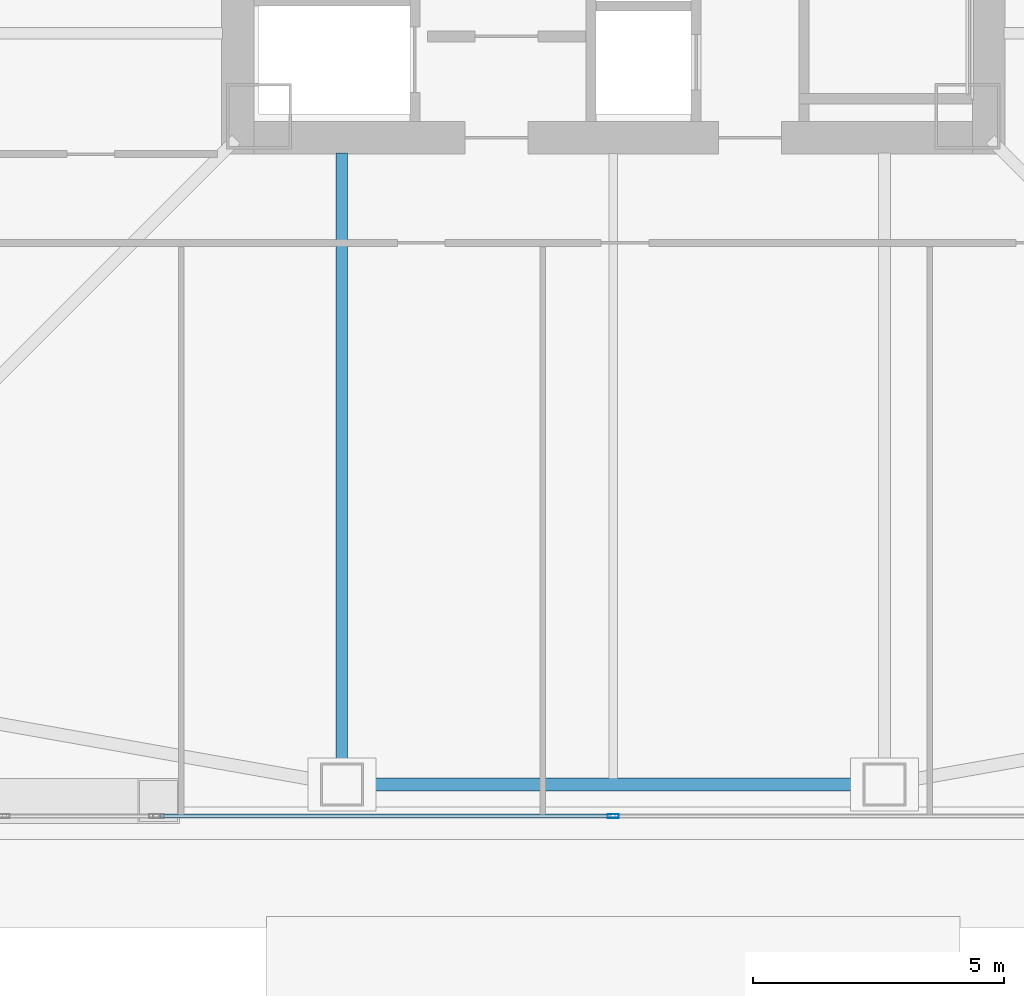
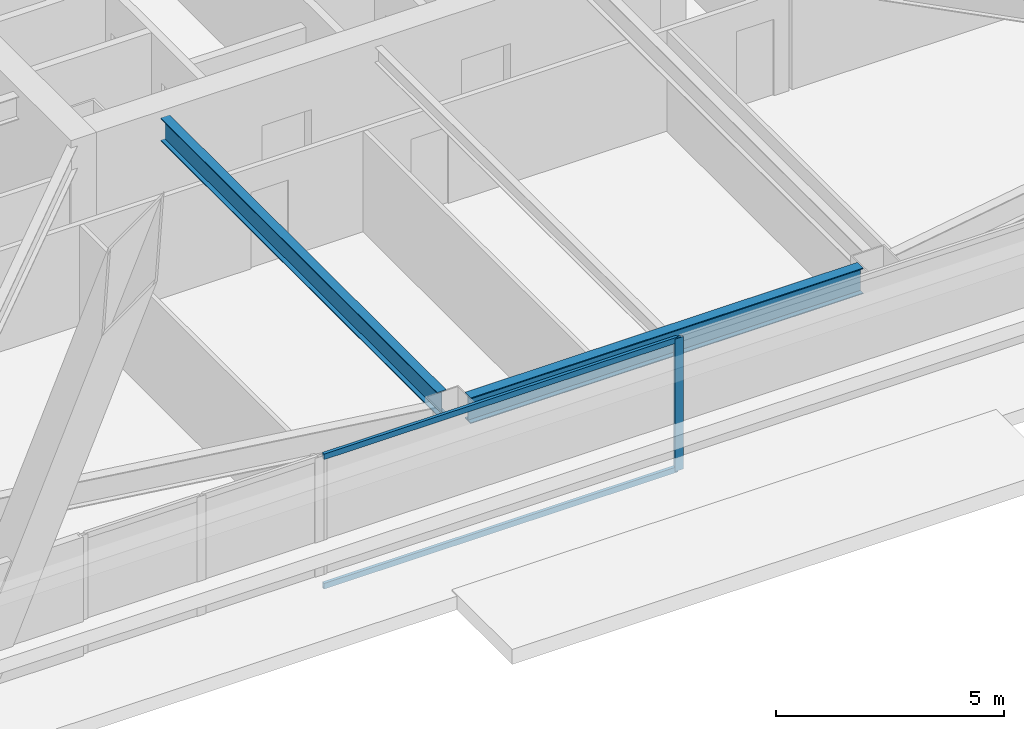
# One storey, part 8 of 67: 3 members, 2 beams, 1 element without a shape of its own.
"""IFC4 building model written with IfcOpenShell, lengths in metres."""

from ifc_helpers import new_model, si_unit, direction, frame, origin, origin_2d, place, context, subcontext, project, spatial, hollow_rectangle, i_section, extrude, material, material_profile, profile_set, type_object, element, aggregate, save


model = new_model("IFC4")

# Units and contexts
model_context = context("Model", 3, precision=1e-05, world=origin(), true_north=direction((0.0, 1.0)))
body_context = subcontext(model_context, "Body", "Model", "MODEL_VIEW")
ifc_project = project(units=[si_unit("LENGTHUNIT", "METRE"), si_unit("AREAUNIT", "SQUARE_METRE"), si_unit("VOLUMEUNIT", "CUBIC_METRE"), si_unit("PLANEANGLEUNIT", "RADIAN"), si_unit("MASSUNIT", "GRAM", prefix="KILO")], contexts=[model_context])

# Site, building, storey
site_placement = place(None, origin())
site = spatial("IfcSite", under=ifc_project, at=site_placement, CompositionType="ELEMENT")
building_placement = place(site_placement, origin())
building = spatial("IfcBuilding", under=site, at=building_placement, Name="Tashvorn Skyway Center", CompositionType="ELEMENT")
storey_placement = place(building_placement, frame((0.0, 0.0, 67.199951171875)))
storey = spatial("IfcBuildingStorey", under=building, at=storey_placement, Name="L17", CompositionType="ELEMENT", Elevation=67.199951171875)

# Beams
ifc_material_1 = material(Name="Steel ASTM A992 Grade 50", Category="steel")
ifc_material_profile_1 = material_profile(ifc_material_1, i_section(OverallWidth=0.22998046875, OverallDepth=0.616943359375, WebThickness=0.01318359375, FlangeThickness=0.022216796875, at=origin_2d()), Name="W24X94")
ifc_profile_set_1 = profile_set([ifc_material_profile_1], Name="Steel ASTM A992 Grade 50")
beam_type_1 = type_object("IfcBeamType", Name="BM-BEAM-W24X94", PredefinedType="BEAM", material=ifc_profile_set_1)
beam_1_placement = place(storey_placement, frame((36.60009765625, 12.070068359375, 3.04150390625), z_axis=(0.0, 1.0, 0.0), x_axis=(-1.0, 0.0, 0.0)))
element("IfcBeam", 1, at=beam_1_placement, inside=storey, type_object=beam_type_1, Name="Tower 1 L17 Primary Floor Girder FC-S1", PredefinedType="BEAM", context=body_context, shape_type="SweptSolid", body=[
    extrude(i_section(OverallWidth=0.22998046875, OverallDepth=0.616943359375, WebThickness=0.01318359375, FlangeThickness=0.022216796875, at=origin_2d()), origin(), (0.0, 0.0, 1.0), 12.14990234375),
])
ifc_material_profile_2 = material_profile(ifc_material_1, i_section(OverallWidth=0.256103515625, OverallDepth=0.693115234375, WebThickness=0.014404296875, FlangeThickness=0.023681640625, at=origin_2d()), Name="W27X114")
ifc_profile_set_2 = profile_set([ifc_material_profile_2], Name="Steel ASTM A992 Grade 50")
beam_type_2 = type_object("IfcBeamType", Name="BM-SPANDREL-W27X114", PredefinedType="SPANDREL", material=ifc_profile_set_2)
beam_2_placement = place(storey_placement, frame((37.02001953125, 11.64990234375, 3.003662109375), z_axis=(1.0, 0.0, 0.0), x_axis=(0.0, 1.0, 0.0)))
element("IfcBeam", 2, at=beam_2_placement, inside=storey, type_object=beam_type_2, Name="Tower 1 L17 Spandrel Beam 02", PredefinedType="SPANDREL", context=body_context, shape_type="SweptSolid", body=[
    extrude(i_section(OverallWidth=0.256103515625, OverallDepth=0.693115234375, WebThickness=0.014404296875, FlangeThickness=0.023681640625, at=origin_2d()), origin(), (0.0, 0.0, 1.0), 9.9599609375),
])

# Curtain wall, members
ifc_material_2 = material(Name="Thermally broken bronze-anodized aluminium 6063-T6", Category="aluminium")
curtain_wall_type = type_object("IfcCurtainWallType", Name="CW-CW-Z2", PredefinedType="NOTDEFINED", material=ifc_material_2)
curtain_wall_placement = place(storey_placement, origin())
curtain_wall = element("IfcCurtainWall", 3, at=curtain_wall_placement, inside=storey, type_object=curtain_wall_type, Name="Tower 1 L17 South Unitised Curtain Wall Glazing Group 2", PredefinedType="NOTDEFINED")
ifc_material_profile_3 = material_profile(ifc_material_2, hollow_rectangle(XDim=0.080078125, YDim=0.219970703125, WallThickness=0.0048828125, at=origin_2d()), Name="ALU-MULL-80x220")
ifc_profile_set_3 = profile_set([ifc_material_profile_3], Name="Thermally broken bronze-anodized aluminium 6063-T6")
member_type_1 = type_object("IfcMemberType", Name="CWM-CW-Z2", PredefinedType="MULLION", material=ifc_profile_set_3)
member_1_placement = place(storey_placement, frame((42.0, 11.02001953125, 0.0), z_axis=(0.0, 0.0, 1.0), x_axis=(0.0, -1.0, 0.0)))
member_1 = element("IfcMember", 4, at=member_1_placement, type_object=member_type_1, Name="CW-Z2 mullion 2", PredefinedType="MULLION", context=body_context, shape_type="SweptSolid", body=[
    extrude(hollow_rectangle(XDim=0.080078125, YDim=0.219970703125, WallThickness=0.0048828125, at=origin_2d()), origin(), (0.0, 0.0, 1.0), 3.550048828125),
])
ifc_material_profile_4 = material_profile(ifc_material_2, hollow_rectangle(XDim=0.080078125, YDim=0.14990234375, WallThickness=0.00439453125, at=origin_2d()), Name="ALU-TRAN-80x150")
ifc_profile_set_4 = profile_set([ifc_material_profile_4], Name="Thermally broken bronze-anodized aluminium 6063-T6")
member_type_2 = type_object("IfcMemberType", Name="CWT-CW-Z2", PredefinedType="USERDEFINED", material=ifc_profile_set_4)
member_2_placement = place(storey_placement, frame((41.9599609375, 11.02001953125, 0.0400390625), z_axis=(-1.0, 0.0, 0.0), x_axis=(0.0, -1.0, 0.0)))
member_2 = element("IfcMember", 5, at=member_2_placement, type_object=member_type_2, Name="CW-Z2 transom 2.1", ObjectType="TRANSOM", PredefinedType="USERDEFINED", context=body_context, shape_type="SweptSolid", body=[
    extrude(hollow_rectangle(XDim=0.080078125, YDim=0.14990234375, WallThickness=0.00439453125, at=origin_2d()), origin(), (0.0, 0.0, 1.0), 8.969970703125),
])
member_3_placement = place(storey_placement, frame((41.9599609375, 11.02001953125, 3.510009765625), z_axis=(-1.0, 0.0, 0.0), x_axis=(0.0, -1.0, 0.0)))
member_3 = element("IfcMember", 6, at=member_3_placement, type_object=member_type_2, Name="CW-Z2 transom 2.2", ObjectType="TRANSOM", PredefinedType="USERDEFINED", context=body_context, shape_type="SweptSolid", body=[
    extrude(hollow_rectangle(XDim=0.080078125, YDim=0.14990234375, WallThickness=0.00439453125, at=origin_2d()), origin(), (0.0, 0.0, 1.0), 8.969970703125),
])
aggregate(curtain_wall, [member_1, member_2, member_3])

save(model, "model.ifc")
